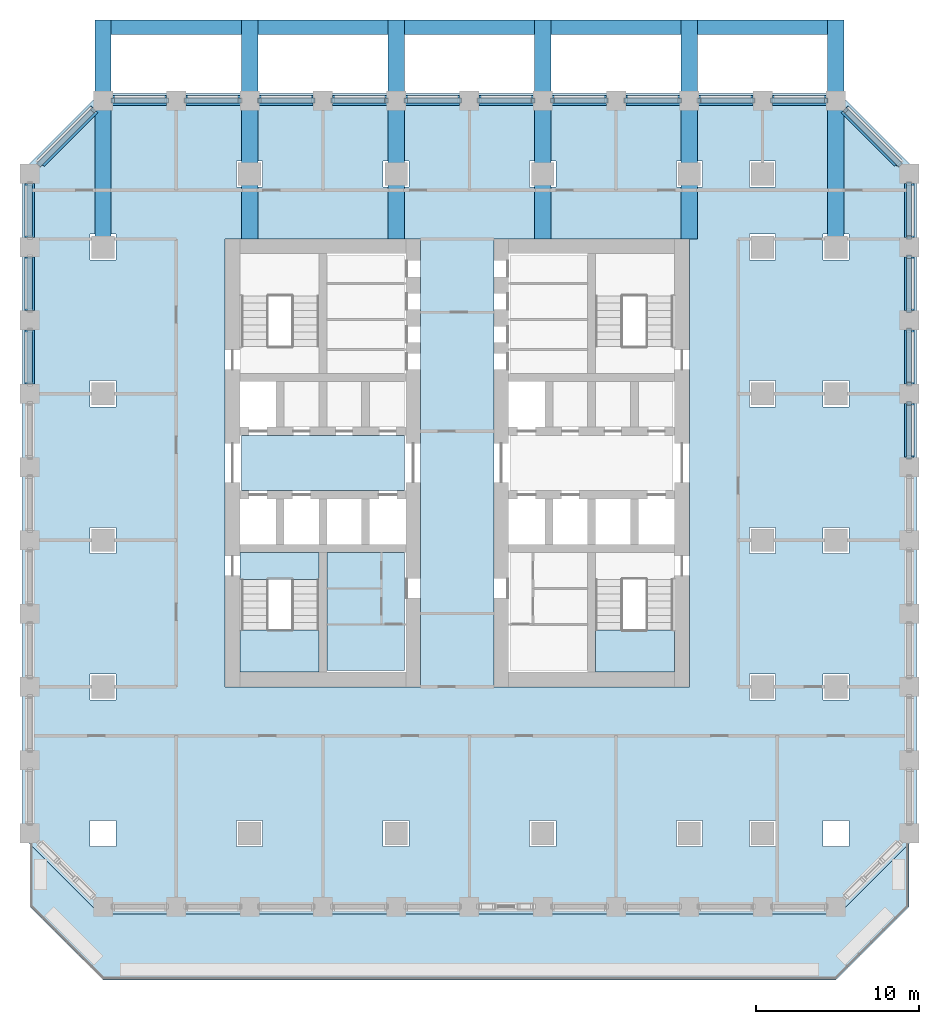
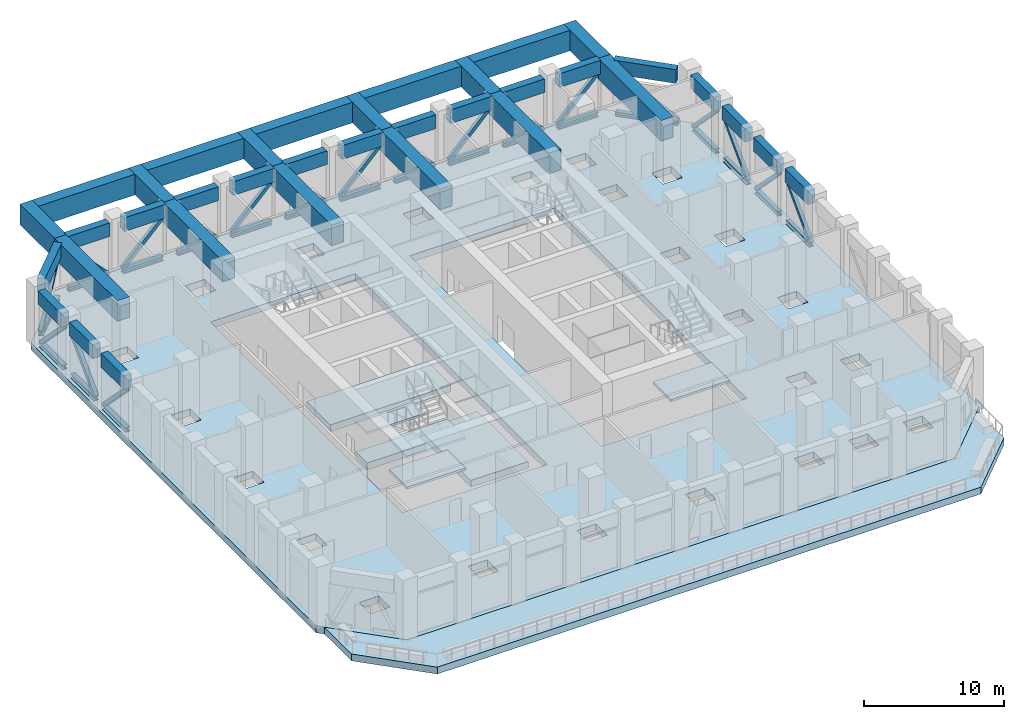
# One storey, part 2 of 20: 38 members, 36 beams, 9 slabs, 2 elements without a shape of their own.
"""IFC4 building model written with IfcOpenShell, lengths in metres."""

from ifc_helpers import new_model, si_unit, direction, frame, origin, origin_2d, place, context, subcontext, project, spatial, polyline, rectangle, hollow_rectangle, i_section, outline, extrude, material, layer, layer_set, material_profile, profile_set, type_object, element, aggregate, save


model = new_model("IFC4")

# Units and contexts
model_context = context("Model", 3, precision=1e-05, world=origin(), true_north=direction((0.0, 1.0)))
body_context = subcontext(model_context, "Body", "Model", "MODEL_VIEW")
ifc_project = project(units=[si_unit("LENGTHUNIT", "METRE"), si_unit("AREAUNIT", "SQUARE_METRE"), si_unit("VOLUMEUNIT", "CUBIC_METRE"), si_unit("PLANEANGLEUNIT", "RADIAN"), si_unit("MASSUNIT", "GRAM", prefix="KILO")], contexts=[model_context])

# Site, building, storey
site_placement = place(None, origin())
site = spatial("IfcSite", under=ifc_project, at=site_placement, CompositionType="ELEMENT")
building_placement = place(site_placement, origin())
building = spatial("IfcBuilding", under=site, at=building_placement, Name="Corbel Stack Research Tower", CompositionType="ELEMENT")
storey_placement = place(building_placement, frame((0.0, 0.0, 76.60009765625)))
storey = spatial("IfcBuildingStorey", under=building, at=storey_placement, Name="L17", CompositionType="ELEMENT", Elevation=76.60009765625)

# Members
ifc_material_1 = material(Name="Steel S355", Category="steel")
ifc_material_profile_1 = material_profile(ifc_material_1, i_section(OverallWidth=0.3740234375, OverallDepth=0.3720703125, WebThickness=0.01611328125, FlangeThickness=0.02587890625, at=origin_2d()), Name="W14x132")
ifc_profile_set_1 = profile_set([ifc_material_profile_1], Name="Steel S355")
member_type_1 = type_object("IfcMemberType", Name="BC-132", PredefinedType="CHORD", material=ifc_profile_set_1)
for number, where, z_axis, x_axis, name in (
    (1, (31.5, 5.10009765625, 0.185791015625), (0.0, 1.0, 0.0), (-1.0, 0.0, 0.0), "Belt truss chord L17-17"),
    (2, (31.5, 9.60009765625, 0.185791015625), (0.0, 1.0, 0.0), (-1.0, 0.0, 0.0), "Belt truss chord L17-18"),
    (3, (31.5, 14.10009765625, 0.185791015625), (0.0, 1.0, 0.0), (-1.0, 0.0, 0.0), "Belt truss chord L17-19"),
    (4, (31.5, 18.60009765625, 0.185791015625), (0.0, 1.0, 0.0), (-1.0, 0.0, 0.0), "Belt truss chord L17-20"),
):
    element("IfcMember", number, at=place(storey_placement, frame(where, z_axis=z_axis, x_axis=x_axis)), inside=storey, type_object=member_type_1, Name=name, PredefinedType="CHORD", context=body_context, shape_type="SweptSolid", body=[
        extrude(i_section(OverallWidth=0.3740234375, OverallDepth=0.3720703125, WebThickness=0.01611328125, FlangeThickness=0.02587890625, at=origin_2d()), origin(), (0.0, 0.0, 1.0), 3.2998046875),
    ])
member_1_placement = place(storey_placement, frame((30.89990234375, 23.10009765625, 0.185791015625), z_axis=(-0.707106781187, 0.707106781187, 0.0), x_axis=(-0.707106781187, -0.707106781187, 0.0)))
element("IfcMember", 5, at=member_1_placement, inside=storey, type_object=member_type_1, Name="Belt truss chord L17-21", PredefinedType="CHORD", context=body_context, shape_type="SweptSolid", body=[
    extrude(i_section(OverallWidth=0.3740234375, OverallDepth=0.3720703125, WebThickness=0.01611328125, FlangeThickness=0.02587890625, at=origin_2d()), origin(), (0.0, 0.0, 1.0), 4.666748046875),
])
for number, where, z_axis, x_axis, name in (
    (6, (26.39990234375, 27.0, 0.185791015625), (-1.0, 0.0, 0.0), (0.0, -1.0, 0.0), "Belt truss chord L17-22"),
    (7, (21.89990234375, 27.0, 0.185791015625), (-1.0, 0.0, 0.0), (0.0, -1.0, 0.0), "Belt truss chord L17-23"),
    (8, (17.39990234375, 27.0, 0.185791015625), (-1.0, 0.0, 0.0), (0.0, -1.0, 0.0), "Belt truss chord L17-24"),
    (9, (12.89990234375, 27.0, 0.185791015625), (-1.0, 0.0, 0.0), (0.0, -1.0, 0.0), "Belt truss chord L17-25"),
    (10, (8.39990234375, 27.0, 0.185791015625), (-1.0, 0.0, 0.0), (0.0, -1.0, 0.0), "Belt truss chord L17-26"),
    (11, (3.89990234375, 27.0, 0.185791015625), (-1.0, 0.0, 0.0), (0.0, -1.0, 0.0), "Belt truss chord L17-27"),
    (12, (-0.60009765625, 27.0, 0.185791015625), (-1.0, 0.0, 0.0), (0.0, -1.0, 0.0), "Belt truss chord L17-28"),
    (13, (-5.10009765625, 27.0, 0.185791015625), (-1.0, 0.0, 0.0), (0.0, -1.0, 0.0), "Belt truss chord L17-29"),
    (14, (-9.60009765625, 27.0, 0.185791015625), (-1.0, 0.0, 0.0), (0.0, -1.0, 0.0), "Belt truss chord L17-30"),
    (15, (-14.10009765625, 27.0, 0.185791015625), (-1.0, 0.0, 0.0), (0.0, -1.0, 0.0), "Belt truss chord L17-31"),
):
    element("IfcMember", number, at=place(storey_placement, frame(where, z_axis=z_axis, x_axis=x_axis)), inside=storey, type_object=member_type_1, Name=name, PredefinedType="CHORD", context=body_context, shape_type="SweptSolid", body=[
        extrude(i_section(OverallWidth=0.3740234375, OverallDepth=0.3720703125, WebThickness=0.01611328125, FlangeThickness=0.02587890625, at=origin_2d()), origin(), (0.0, 0.0, 1.0), 3.2998046875),
    ])
member_2_placement = place(storey_placement, frame((-18.60009765625, 26.39990234375, 0.185791015625), z_axis=(-0.707106781187, -0.707106781187, 0.0), x_axis=(0.707106781187, -0.707106781187, 0.0)))
element("IfcMember", 16, at=member_2_placement, inside=storey, type_object=member_type_1, Name="Belt truss chord L17-32", PredefinedType="CHORD", context=body_context, shape_type="SweptSolid", body=[
    extrude(i_section(OverallWidth=0.3740234375, OverallDepth=0.3720703125, WebThickness=0.01611328125, FlangeThickness=0.02587890625, at=origin_2d()), origin(), (0.0, 0.0, 1.0), 4.666748046875),
])
for number, where, z_axis, x_axis, name in (
    (17, (-22.5, 21.89990234375, 0.185791015625), (0.0, -1.0, 0.0), (1.0, 0.0, 0.0), "Belt truss chord L17-33"),
    (18, (-22.5, 17.39990234375, 0.185791015625), (0.0, -1.0, 0.0), (1.0, 0.0, 0.0), "Belt truss chord L17-34"),
    (19, (-22.5, 12.89990234375, 0.185791015625), (0.0, -1.0, 0.0), (1.0, 0.0, 0.0), "Belt truss chord L17-35"),
):
    element("IfcMember", number, at=place(storey_placement, frame(where, z_axis=z_axis, x_axis=x_axis)), inside=storey, type_object=member_type_1, Name=name, PredefinedType="CHORD", context=body_context, shape_type="SweptSolid", body=[
        extrude(i_section(OverallWidth=0.3740234375, OverallDepth=0.3720703125, WebThickness=0.01611328125, FlangeThickness=0.02587890625, at=origin_2d()), origin(), (0.0, 0.0, 1.0), 3.2998046875),
    ])
ifc_material_2 = material(Name="Steel S355", Category="steel")
ifc_material_profile_2 = material_profile(ifc_material_2, hollow_rectangle(XDim=0.304931640625, YDim=0.304931640625, WallThickness=0.014892578125, at=origin_2d()), Name="HSS12x12x5/8")
ifc_profile_set_2 = profile_set([ifc_material_profile_2], Name="Steel S355")
member_type_2 = type_object("IfcMemberType", Name="BD-12", PredefinedType="BRACE", material=ifc_profile_set_2)
for number, where, z_axis, x_axis, name in (
    (20, (31.5, 5.10009765625, 0.371826171875), (0.0, 0.698760443473, 0.715355745512), (-1.0, 0.0, 0.0), "Belt truss diagonal L17-17"),
    (21, (31.5, 12.89990234375, 0.371826171875), (0.0, -0.698760443473, 0.715355745512), (1.0, 0.0, 0.0), "Belt truss diagonal L17-18"),
    (22, (31.5, 14.10009765625, 0.371826171875), (0.0, 0.698760443473, 0.715355745512), (-1.0, 0.0, 0.0), "Belt truss diagonal L17-19"),
    (23, (31.5, 21.89990234375, 0.371826171875), (0.0, -0.698760443473, 0.715355745512), (1.0, 0.0, 0.0), "Belt truss diagonal L17-20"),
):
    element("IfcMember", number, at=place(storey_placement, frame(where, z_axis=z_axis, x_axis=x_axis)), inside=storey, type_object=member_type_2, Name=name, PredefinedType="BRACE", context=body_context, shape_type="SweptSolid", body=[
        extrude(hollow_rectangle(XDim=0.304931640625, YDim=0.304931640625, WallThickness=0.014892578125, at=origin_2d()), origin(), (0.0, 0.0, 1.0), 4.722412109375),
    ])
member_3_placement = place(storey_placement, frame((30.89990234375, 23.10009765625, 0.371826171875), z_axis=(-0.572780215739, 0.572780215739, 0.586383533973), x_axis=(-0.707106781187, -0.707106781187, 0.0)))
element("IfcMember", 24, at=member_3_placement, inside=storey, type_object=member_type_2, Name="Belt truss diagonal L17-21", PredefinedType="BRACE", context=body_context, shape_type="SweptSolid", body=[
    extrude(hollow_rectangle(XDim=0.304931640625, YDim=0.304931640625, WallThickness=0.014892578125, at=origin_2d()), origin(), (0.0, 0.0, 1.0), 5.760986328125),
])
for number, where, z_axis, x_axis, name in (
    (25, (23.10009765625, 27.0, 0.371826171875), (0.698760443473, 0.0, 0.715355745512), (0.0, 1.0, 0.0), "Belt truss diagonal L17-22"),
    (26, (21.89990234375, 27.0, 0.371826171875), (-0.698760443473, 0.0, 0.715355745512), (0.0, -1.0, 0.0), "Belt truss diagonal L17-23"),
    (27, (14.10009765625, 27.0, 0.371826171875), (0.698760443473, 0.0, 0.715355745512), (0.0, 1.0, 0.0), "Belt truss diagonal L17-24"),
    (28, (12.89990234375, 27.0, 0.371826171875), (-0.698760443473, 0.0, 0.715355745512), (0.0, -1.0, 0.0), "Belt truss diagonal L17-25"),
    (29, (5.10009765625, 27.0, 0.371826171875), (0.698760443473, 0.0, 0.715355745512), (0.0, 1.0, 0.0), "Belt truss diagonal L17-26"),
    (30, (3.89990234375, 27.0, 0.371826171875), (-0.698760443473, 0.0, 0.715355745512), (0.0, -1.0, 0.0), "Belt truss diagonal L17-27"),
    (31, (-3.89990234375, 27.0, 0.371826171875), (0.698760443473, 0.0, 0.715355745512), (0.0, 1.0, 0.0), "Belt truss diagonal L17-28"),
    (32, (-5.10009765625, 27.0, 0.371826171875), (-0.698760443473, 0.0, 0.715355745512), (0.0, -1.0, 0.0), "Belt truss diagonal L17-29"),
    (33, (-12.89990234375, 27.0, 0.371826171875), (0.698760443473, 0.0, 0.715355745512), (0.0, 1.0, 0.0), "Belt truss diagonal L17-30"),
    (34, (-14.10009765625, 27.0, 0.371826171875), (-0.698760443473, 0.0, 0.715355745512), (0.0, -1.0, 0.0), "Belt truss diagonal L17-31"),
):
    element("IfcMember", number, at=place(storey_placement, frame(where, z_axis=z_axis, x_axis=x_axis)), inside=storey, type_object=member_type_2, Name=name, PredefinedType="BRACE", context=body_context, shape_type="SweptSolid", body=[
        extrude(hollow_rectangle(XDim=0.304931640625, YDim=0.304931640625, WallThickness=0.014892578125, at=origin_2d()), origin(), (0.0, 0.0, 1.0), 4.722412109375),
    ])
member_4_placement = place(storey_placement, frame((-21.89990234375, 23.10009765625, 0.371826171875), z_axis=(0.572780215739, 0.572780215739, 0.586383533973), x_axis=(-0.707106781187, 0.707106781187, 0.0)))
element("IfcMember", 35, at=member_4_placement, inside=storey, type_object=member_type_2, Name="Belt truss diagonal L17-32", PredefinedType="BRACE", context=body_context, shape_type="SweptSolid", body=[
    extrude(hollow_rectangle(XDim=0.304931640625, YDim=0.304931640625, WallThickness=0.014892578125, at=origin_2d()), origin(), (0.0, 0.0, 1.0), 5.760986328125),
])
for number, where, z_axis, x_axis, name in (
    (36, (-22.5, 21.89990234375, 0.371826171875), (0.0, -0.698760443473, 0.715355745512), (1.0, 0.0, 0.0), "Belt truss diagonal L17-33"),
    (37, (-22.5, 14.10009765625, 0.371826171875), (0.0, 0.698760443473, 0.715355745512), (-1.0, 0.0, 0.0), "Belt truss diagonal L17-34"),
    (38, (-22.5, 12.89990234375, 0.371826171875), (0.0, -0.698760443473, 0.715355745512), (1.0, 0.0, 0.0), "Belt truss diagonal L17-35"),
):
    element("IfcMember", number, at=place(storey_placement, frame(where, z_axis=z_axis, x_axis=x_axis)), inside=storey, type_object=member_type_2, Name=name, PredefinedType="BRACE", context=body_context, shape_type="SweptSolid", body=[
        extrude(hollow_rectangle(XDim=0.304931640625, YDim=0.304931640625, WallThickness=0.014892578125, at=origin_2d()), origin(), (0.0, 0.0, 1.0), 4.722412109375),
    ])

# Beams
ifc_material_3 = material(Name="Concrete C60/75", Category="concrete")
ifc_material_profile_3 = material_profile(ifc_material_3, rectangle(XDim=0.60009765625, YDim=1.199951171875, at=origin_2d()), Name="RC 600 x 1200")
ifc_profile_set_3 = profile_set([ifc_material_profile_3], Name="Concrete C60/75")
beam_type_1 = type_object("IfcBeamType", Name="SB-600-1200-450", PredefinedType="SPANDREL", material=ifc_profile_set_3)
for number, where, z_axis, x_axis, name in (
    (39, (31.5, 5.10009765625, 4.349853515625), (0.0, 1.0, 0.0), (-1.0, 0.0, 0.0), "Spandrel beam L17-17"),
    (40, (31.5, 9.60009765625, 4.349853515625), (0.0, 1.0, 0.0), (-1.0, 0.0, 0.0), "Spandrel beam L17-18"),
    (41, (31.5, 14.10009765625, 4.349853515625), (0.0, 1.0, 0.0), (-1.0, 0.0, 0.0), "Spandrel beam L17-19"),
    (42, (31.5, 18.60009765625, 4.349853515625), (0.0, 1.0, 0.0), (-1.0, 0.0, 0.0), "Spandrel beam L17-20"),
):
    element("IfcBeam", number, at=place(storey_placement, frame(where, z_axis=z_axis, x_axis=x_axis)), inside=storey, type_object=beam_type_1, Name=name, PredefinedType="SPANDREL", context=body_context, shape_type="SweptSolid", body=[
        extrude(rectangle(XDim=0.60009765625, YDim=1.199951171875, at=origin_2d()), origin(), (0.0, 0.0, 1.0), 3.2998046875),
    ])
beam_1_placement = place(storey_placement, frame((30.822265625, 23.177734375, 4.349853515625), z_axis=(-0.707106781187, 0.707106781187, 0.0), x_axis=(-0.707106781187, -0.707106781187, 0.0)))
element("IfcBeam", 43, at=beam_1_placement, inside=storey, type_object=beam_type_1, Name="Spandrel beam L17-21", PredefinedType="SPANDREL", context=body_context, shape_type="SweptSolid", body=[
    extrude(rectangle(XDim=0.60009765625, YDim=1.199951171875, at=origin_2d()), origin(), (0.0, 0.0, 1.0), 4.658935546875),
])
for number, where, z_axis, x_axis, name in (
    (44, (26.550048828125, 27.0, 4.349853515625), (-1.0, 0.0, 0.0), (0.0, -1.0, 0.0), "Spandrel beam L17-22"),
    (45, (21.89990234375, 27.0, 4.349853515625), (-1.0, 0.0, 0.0), (0.0, -1.0, 0.0), "Spandrel beam L17-23"),
    (46, (17.550048828125, 27.0, 4.349853515625), (-1.0, 0.0, 0.0), (0.0, -1.0, 0.0), "Spandrel beam L17-24"),
    (47, (12.89990234375, 27.0, 4.349853515625), (-1.0, 0.0, 0.0), (0.0, -1.0, 0.0), "Spandrel beam L17-25"),
    (48, (8.550048828125, 27.0, 4.349853515625), (-1.0, 0.0, 0.0), (0.0, -1.0, 0.0), "Spandrel beam L17-26"),
    (49, (3.89990234375, 27.0, 4.349853515625), (-1.0, 0.0, 0.0), (0.0, -1.0, 0.0), "Spandrel beam L17-27"),
    (50, (-0.449951171875, 27.0, 4.349853515625), (-1.0, 0.0, 0.0), (0.0, -1.0, 0.0), "Spandrel beam L17-28"),
    (51, (-5.10009765625, 27.0, 4.349853515625), (-1.0, 0.0, 0.0), (0.0, -1.0, 0.0), "Spandrel beam L17-29"),
    (52, (-9.449951171875, 27.0, 4.349853515625), (-1.0, 0.0, 0.0), (0.0, -1.0, 0.0), "Spandrel beam L17-30"),
    (53, (-14.10009765625, 27.0, 4.349853515625), (-1.0, 0.0, 0.0), (0.0, -1.0, 0.0), "Spandrel beam L17-31"),
):
    element("IfcBeam", number, at=place(storey_placement, frame(where, z_axis=z_axis, x_axis=x_axis)), inside=storey, type_object=beam_type_1, Name=name, PredefinedType="SPANDREL", context=body_context, shape_type="SweptSolid", body=[
        extrude(rectangle(XDim=0.60009765625, YDim=1.199951171875, at=origin_2d()), origin(), (0.0, 0.0, 1.0), 3.449951171875),
    ])
beam_2_placement = place(storey_placement, frame((-18.52783203125, 26.47216796875, 4.349853515625), z_axis=(-0.707106781187, -0.707106781187, 0.0), x_axis=(0.707106781187, -0.707106781187, 0.0)))
element("IfcBeam", 54, at=beam_2_placement, inside=storey, type_object=beam_type_1, Name="Spandrel beam L17-32", PredefinedType="SPANDREL", context=body_context, shape_type="SweptSolid", body=[
    extrude(rectangle(XDim=0.60009765625, YDim=1.199951171875, at=origin_2d()), origin(), (0.0, 0.0, 1.0), 4.658935546875),
])
for number, where, z_axis, x_axis, name in (
    (55, (-22.5, 21.89990234375, 4.349853515625), (0.0, -1.0, 0.0), (1.0, 0.0, 0.0), "Spandrel beam L17-33"),
    (56, (-22.5, 17.39990234375, 4.349853515625), (0.0, -1.0, 0.0), (1.0, 0.0, 0.0), "Spandrel beam L17-34"),
    (57, (-22.5, 12.89990234375, 4.349853515625), (0.0, -1.0, 0.0), (1.0, 0.0, 0.0), "Spandrel beam L17-35"),
):
    element("IfcBeam", number, at=place(storey_placement, frame(where, z_axis=z_axis, x_axis=x_axis)), inside=storey, type_object=beam_type_1, Name=name, PredefinedType="SPANDREL", context=body_context, shape_type="SweptSolid", body=[
        extrude(rectangle(XDim=0.60009765625, YDim=1.199951171875, at=origin_2d()), origin(), (0.0, 0.0, 1.0), 3.2998046875),
    ])
ifc_material_4 = material(Name="Concrete C60/75", Category="concrete")
ifc_material_profile_4 = material_profile(ifc_material_4, rectangle(XDim=1.0, YDim=1.800048828125, at=origin_2d()), Name="RC 1000 x 1800")
ifc_profile_set_4 = profile_set([ifc_material_profile_4], Name="Concrete C60/75")
beam_type_2 = type_object("IfcBeamType", Name="TG-1000-1800", PredefinedType="BEAM", material=ifc_profile_set_4)
beam_3_placement = place(storey_placement, frame((-18.0, 31.949951171875, 4.0498046875), z_axis=(0.0, -1.0, 0.0), x_axis=(1.0, 0.0, 0.0)))
element("IfcBeam", 58, at=beam_3_placement, inside=storey, type_object=beam_type_2, Name="Transfer girder L17 N-18c", PredefinedType="BEAM", context=body_context, shape_type="SweptSolid", body=[
    extrude(rectangle(XDim=1.0, YDim=1.800048828125, at=origin_2d()), origin(), (0.0, 0.0, 1.0), 4.949951171875),
])
beam_4_placement = place(storey_placement, frame((-18.0, 27.0, 4.0498046875), z_axis=(0.0, -1.0, 0.0), x_axis=(1.0, 0.0, 0.0)))
element("IfcBeam", 59, at=beam_4_placement, inside=storey, type_object=beam_type_2, Name="Transfer girder L17 N-18b", PredefinedType="BEAM", context=body_context, shape_type="SweptSolid", body=[
    extrude(rectangle(XDim=1.0, YDim=1.800048828125, at=origin_2d()), origin(), (0.0, 0.0, 1.0), 9.0),
])
beam_5_placement = place(storey_placement, frame((-9.0, 31.949951171875, 4.0498046875), z_axis=(0.0, -1.0, 0.0), x_axis=(1.0, 0.0, 0.0)))
element("IfcBeam", 60, at=beam_5_placement, inside=storey, type_object=beam_type_2, Name="Transfer girder L17 N-9c", PredefinedType="BEAM", context=body_context, shape_type="SweptSolid", body=[
    extrude(rectangle(XDim=1.0, YDim=1.800048828125, at=origin_2d()), origin(), (0.0, 0.0, 1.0), 4.949951171875),
])
beam_6_placement = place(storey_placement, frame((-9.0, 27.0, 4.0498046875), z_axis=(0.0, -1.0, 0.0), x_axis=(1.0, 0.0, 0.0)))
element("IfcBeam", 61, at=beam_6_placement, inside=storey, type_object=beam_type_2, Name="Transfer girder L17 N-9b", PredefinedType="BEAM", context=body_context, shape_type="SweptSolid", body=[
    extrude(rectangle(XDim=1.0, YDim=1.800048828125, at=origin_2d()), origin(), (0.0, 0.0, 1.0), 8.5),
])
beam_7_placement = place(storey_placement, frame((0.0, 31.949951171875, 4.0498046875), z_axis=(0.0, -1.0, 0.0), x_axis=(1.0, 0.0, 0.0)))
element("IfcBeam", 62, at=beam_7_placement, inside=storey, type_object=beam_type_2, Name="Transfer girder L17 N0c", PredefinedType="BEAM", context=body_context, shape_type="SweptSolid", body=[
    extrude(rectangle(XDim=1.0, YDim=1.800048828125, at=origin_2d()), origin(), (0.0, 0.0, 1.0), 4.949951171875),
])
beam_8_placement = place(storey_placement, frame((0.0, 27.0, 4.0498046875), z_axis=(0.0, -1.0, 0.0), x_axis=(1.0, 0.0, 0.0)))
element("IfcBeam", 63, at=beam_8_placement, inside=storey, type_object=beam_type_2, Name="Transfer girder L17 N0b", PredefinedType="BEAM", context=body_context, shape_type="SweptSolid", body=[
    extrude(rectangle(XDim=1.0, YDim=1.800048828125, at=origin_2d()), origin(), (0.0, 0.0, 1.0), 8.5),
])
beam_9_placement = place(storey_placement, frame((9.0, 31.949951171875, 4.0498046875), z_axis=(0.0, -1.0, 0.0), x_axis=(1.0, 0.0, 0.0)))
element("IfcBeam", 64, at=beam_9_placement, inside=storey, type_object=beam_type_2, Name="Transfer girder L17 N9c", PredefinedType="BEAM", context=body_context, shape_type="SweptSolid", body=[
    extrude(rectangle(XDim=1.0, YDim=1.800048828125, at=origin_2d()), origin(), (0.0, 0.0, 1.0), 4.949951171875),
])
beam_10_placement = place(storey_placement, frame((9.0, 27.0, 4.0498046875), z_axis=(0.0, -1.0, 0.0), x_axis=(1.0, 0.0, 0.0)))
element("IfcBeam", 65, at=beam_10_placement, inside=storey, type_object=beam_type_2, Name="Transfer girder L17 N9b", PredefinedType="BEAM", context=body_context, shape_type="SweptSolid", body=[
    extrude(rectangle(XDim=1.0, YDim=1.800048828125, at=origin_2d()), origin(), (0.0, 0.0, 1.0), 8.5),
])
beam_11_placement = place(storey_placement, frame((18.0, 31.949951171875, 4.0498046875), z_axis=(0.0, -1.0, 0.0), x_axis=(1.0, 0.0, 0.0)))
element("IfcBeam", 66, at=beam_11_placement, inside=storey, type_object=beam_type_2, Name="Transfer girder L17 N18c", PredefinedType="BEAM", context=body_context, shape_type="SweptSolid", body=[
    extrude(rectangle(XDim=1.0, YDim=1.800048828125, at=origin_2d()), origin(), (0.0, 0.0, 1.0), 4.949951171875),
])
beam_12_placement = place(storey_placement, frame((18.0, 27.0, 4.0498046875), z_axis=(0.0, -1.0, 0.0), x_axis=(1.0, 0.0, 0.0)))
element("IfcBeam", 67, at=beam_12_placement, inside=storey, type_object=beam_type_2, Name="Transfer girder L17 N18b", PredefinedType="BEAM", context=body_context, shape_type="SweptSolid", body=[
    extrude(rectangle(XDim=1.0, YDim=1.800048828125, at=origin_2d()), origin(), (0.0, 0.0, 1.0), 8.5),
])
beam_13_placement = place(storey_placement, frame((27.0, 31.949951171875, 4.0498046875), z_axis=(0.0, -1.0, 0.0), x_axis=(1.0, 0.0, 0.0)))
element("IfcBeam", 68, at=beam_13_placement, inside=storey, type_object=beam_type_2, Name="Transfer girder L17 N27c", PredefinedType="BEAM", context=body_context, shape_type="SweptSolid", body=[
    extrude(rectangle(XDim=1.0, YDim=1.800048828125, at=origin_2d()), origin(), (0.0, 0.0, 1.0), 4.949951171875),
])
beam_14_placement = place(storey_placement, frame((27.0, 27.0, 4.0498046875), z_axis=(0.0, -1.0, 0.0), x_axis=(1.0, 0.0, 0.0)))
element("IfcBeam", 69, at=beam_14_placement, inside=storey, type_object=beam_type_2, Name="Transfer girder L17 N27b", PredefinedType="BEAM", context=body_context, shape_type="SweptSolid", body=[
    extrude(rectangle(XDim=1.0, YDim=1.800048828125, at=origin_2d()), origin(), (0.0, 0.0, 1.0), 9.0),
])
ifc_material_5 = material(Name="Concrete C60/75", Category="concrete")
ifc_material_profile_5 = material_profile(ifc_material_5, rectangle(XDim=0.89990234375, YDim=1.800048828125, at=origin_2d()), Name="RC 900 x 1800")
ifc_profile_set_5 = profile_set([ifc_material_profile_5], Name="Concrete C60/75")
beam_type_3 = type_object("IfcBeamType", Name="TG-900-1800", PredefinedType="BEAM", material=ifc_profile_set_5)
for number, where, z_axis, x_axis, name in (
    (70, (-17.550048828125, 31.5, 4.0498046875), (1.0, 0.0, 0.0), (0.0, 1.0, 0.0), "Transfer edge beam L17 Ne-18"),
    (71, (-8.550048828125, 31.5, 4.0498046875), (1.0, 0.0, 0.0), (0.0, 1.0, 0.0), "Transfer edge beam L17 Ne-9"),
    (72, (0.449951171875, 31.5, 4.0498046875), (1.0, 0.0, 0.0), (0.0, 1.0, 0.0), "Transfer edge beam L17 Ne0"),
    (73, (9.449951171875, 31.5, 4.0498046875), (1.0, 0.0, 0.0), (0.0, 1.0, 0.0), "Transfer edge beam L17 Ne9"),
    (74, (18.449951171875, 31.5, 4.0498046875), (1.0, 0.0, 0.0), (0.0, 1.0, 0.0), "Transfer edge beam L17 Ne18"),
):
    element("IfcBeam", number, at=place(storey_placement, frame(where, z_axis=z_axis, x_axis=x_axis)), inside=storey, type_object=beam_type_3, Name=name, PredefinedType="BEAM", context=body_context, shape_type="SweptSolid", body=[
        extrude(rectangle(XDim=0.89990234375, YDim=1.800048828125, at=origin_2d()), origin(), (0.0, 0.0, 1.0), 8.10009765625),
    ])

# Slabs
ifc_material_6 = material(Name="Concrete C45/55", Category="concrete")
ifc_layer_1 = layer(ifc_material_6, 0.60009765625)
ifc_layer_set_1 = layer_set([ifc_layer_1], Name="Concrete C45/55")
slab_type_1 = type_object("IfcSlabType", Name="PT-600", PredefinedType="FLOOR", material=ifc_layer_set_1)
slab_1_placement = place(storey_placement, frame((0.0, 0.0, -0.60009765625)))
element("IfcSlab", 75, at=slab_1_placement, inside=storey, type_object=slab_type_1, Name="Floor slab L17", PredefinedType="FLOOR", context=body_context, shape_type="SweptSolid", body=[
    extrude(outline(polyline([(-18.186279296875, -22.949951171875), (27.186279296875, -22.949951171875), (31.949951171875, -18.186279296875), (31.949951171875, 22.686279296875), (27.186279296875, 27.449951171875), (-18.186279296875, 27.449951171875), (-22.949951171875, 22.686279296875), (-22.949951171875, -18.186279296875), (-18.186279296875, -22.949951171875)]), holes=[polyline([(26.199951171875, 17.199951171875), (26.199951171875, 18.800048828125), (27.800048828125, 18.800048828125), (27.800048828125, 17.199951171875), (26.199951171875, 17.199951171875)]), polyline([(26.199951171875, 8.199951171875), (26.199951171875, 9.800048828125), (27.800048828125, 9.800048828125), (27.800048828125, 8.199951171875), (26.199951171875, 8.199951171875)]), polyline([(27.800048828125, -0.800048828125), (26.199951171875, -0.800048828125), (26.199951171875, 0.800048828125), (27.800048828125, 0.800048828125), (27.800048828125, -0.800048828125)]), polyline([(26.199951171875, -9.800048828125), (26.199951171875, -8.199951171875), (27.800048828125, -8.199951171875), (27.800048828125, -9.800048828125), (26.199951171875, -9.800048828125)]), polyline([(26.199951171875, -18.800048828125), (26.199951171875, -17.199951171875), (27.800048828125, -17.199951171875), (27.800048828125, -18.800048828125), (26.199951171875, -18.800048828125)]), polyline([(21.699951171875, 21.699951171875), (21.699951171875, 23.300048828125), (23.300048828125, 23.300048828125), (23.300048828125, 21.699951171875), (21.699951171875, 21.699951171875)]), polyline([(21.699951171875, 17.199951171875), (21.699951171875, 18.800048828125), (23.300048828125, 18.800048828125), (23.300048828125, 17.199951171875), (21.699951171875, 17.199951171875)]), polyline([(21.699951171875, 8.199951171875), (21.699951171875, 9.800048828125), (23.300048828125, 9.800048828125), (23.300048828125, 8.199951171875), (21.699951171875, 8.199951171875)]), polyline([(21.699951171875, -0.800048828125), (21.699951171875, 0.800048828125), (23.300048828125, 0.800048828125), (23.300048828125, -0.800048828125), (21.699951171875, -0.800048828125)]), polyline([(23.300048828125, -9.800048828125), (21.699951171875, -9.800048828125), (21.699951171875, -8.199951171875), (23.300048828125, -8.199951171875), (23.300048828125, -9.800048828125)]), polyline([(21.699951171875, -18.800048828125), (21.699951171875, -17.199951171875), (23.300048828125, -17.199951171875), (23.300048828125, -18.800048828125), (21.699951171875, -18.800048828125)]), polyline([(17.199951171875, 21.699951171875), (17.199951171875, 23.300048828125), (18.800048828125, 23.300048828125), (18.800048828125, 21.699951171875), (17.199951171875, 21.699951171875)]), polyline([(18.800048828125, -18.800048828125), (17.199951171875, -18.800048828125), (17.199951171875, -17.199951171875), (18.800048828125, -17.199951171875), (18.800048828125, -18.800048828125)]), polyline([(6.0, -9.0), (6.0, 18.5), (18.0, 18.5), (18.0, -9.0), (6.0, -9.0)]), polyline([(8.199951171875, 21.699951171875), (8.199951171875, 23.300048828125), (9.800048828125, 23.300048828125), (9.800048828125, 21.699951171875), (8.199951171875, 21.699951171875)]), polyline([(9.800048828125, -18.800048828125), (8.199951171875, -18.800048828125), (8.199951171875, -17.199951171875), (9.800048828125, -17.199951171875), (9.800048828125, -18.800048828125)]), polyline([(1.5, -9.0), (-10.5, -9.0), (-10.5, 18.5), (1.5, 18.5), (1.5, -9.0)]), polyline([(-0.800048828125, 21.699951171875), (-0.800048828125, 23.300048828125), (0.800048828125, 23.300048828125), (0.800048828125, 21.699951171875), (-0.800048828125, 21.699951171875)]), polyline([(-0.800048828125, -18.800048828125), (-0.800048828125, -17.199951171875), (0.800048828125, -17.199951171875), (0.800048828125, -18.800048828125), (-0.800048828125, -18.800048828125)]), polyline([(-9.800048828125, 21.699951171875), (-9.800048828125, 23.300048828125), (-8.199951171875, 23.300048828125), (-8.199951171875, 21.699951171875), (-9.800048828125, 21.699951171875)]), polyline([(-9.800048828125, -18.800048828125), (-9.800048828125, -17.199951171875), (-8.199951171875, -17.199951171875), (-8.199951171875, -18.800048828125), (-9.800048828125, -18.800048828125)]), polyline([(-18.800048828125, 17.199951171875), (-18.800048828125, 18.800048828125), (-17.199951171875, 18.800048828125), (-17.199951171875, 17.199951171875), (-18.800048828125, 17.199951171875)]), polyline([(-18.800048828125, 8.199951171875), (-18.800048828125, 9.800048828125), (-17.199951171875, 9.800048828125), (-17.199951171875, 8.199951171875), (-18.800048828125, 8.199951171875)]), polyline([(-18.800048828125, -0.800048828125), (-18.800048828125, 0.800048828125), (-17.199951171875, 0.800048828125), (-17.199951171875, -0.800048828125), (-18.800048828125, -0.800048828125)]), polyline([(-18.800048828125, -9.800048828125), (-18.800048828125, -8.199951171875), (-17.199951171875, -8.199951171875), (-17.199951171875, -9.800048828125), (-18.800048828125, -9.800048828125)]), polyline([(-17.199951171875, -18.800048828125), (-18.800048828125, -18.800048828125), (-18.800048828125, -17.199951171875), (-17.199951171875, -17.199951171875), (-17.199951171875, -18.800048828125)])]), origin(), (0.0, 0.0, 1.0), 0.60009765625),
])
slab_2_placement = place(storey_placement, frame((0.0, 0.0, -0.60009765625)))
element("IfcSlab", 76, at=slab_2_placement, inside=storey, type_object=slab_type_1, Name="West core floor L17", PredefinedType="FLOOR", context=body_context, shape_type="SweptSolid", body=[
    extrude(outline(polyline([(-9.5, 6.449951171875), (-9.5, 3.050048828125), (0.5, 3.050048828125), (0.5, 6.449951171875), (-9.5, 6.449951171875)])), origin(), (0.0, 0.0, 1.0), 0.60009765625),
])
slab_3_placement = place(storey_placement, frame((0.0, 0.0, -0.60009765625)))
element("IfcSlab", 77, at=slab_3_placement, inside=storey, type_object=slab_type_1, Name="West core floor L17", PredefinedType="FLOOR", context=body_context, shape_type="SweptSolid", body=[
    extrude(outline(polyline([(-4.25, -0.75), (-4.25, -8.0), (0.5, -8.0), (0.5, -0.75), (-4.25, -0.75)])), origin(), (0.0, 0.0, 1.0), 0.60009765625),
])
slab_4_placement = place(storey_placement, frame((0.0, 0.0, -0.60009765625)))
element("IfcSlab", 78, at=slab_4_placement, inside=storey, type_object=slab_type_1, Name="Stair floor landing ST-W1", PredefinedType="FLOOR", context=body_context, shape_type="SweptSolid", body=[
    extrude(outline(polyline([(-9.60009765625, -2.39990234375), (-4.75, -2.39990234375), (-4.75, -0.75), (-9.60009765625, -0.75), (-9.60009765625, -2.39990234375)])), origin(), (0.0, 0.0, 1.0), 0.60009765625),
])

# Stair, slabs
ifc_material_7 = material(Name="Concrete C40/50", Category="concrete")
stair_type = type_object("IfcStairType", Name="Exit stair 32 risers, 443 going", PredefinedType="HALF_TURN_STAIR", material=ifc_material_7)
stair_1_placement = place(storey_placement, origin())
stair_1 = element("IfcStair", 79, at=stair_1_placement, inside=storey, type_object=stair_type, Name="L17 Exit stair ST-W1", PredefinedType="HALF_TURN_STAIR")
ifc_material_8 = material(Name="Concrete C40/50", Category="concrete")
ifc_layer_2 = layer(ifc_material_8, 0.199951171875)
ifc_layer_set_2 = layer_set([ifc_layer_2], Name="Concrete C40/50")
slab_type_2 = type_object("IfcSlabType", Name="Stair landing 200 C40/50", PredefinedType="LANDING", material=ifc_layer_set_2)
slab_5_placement = place(storey_placement, frame((0.0, 0.0, 1.14990234375)))
slab_5 = element("IfcSlab", 80, at=slab_5_placement, type_object=slab_type_2, Name="ST-W1 landing 1", PredefinedType="LANDING", context=body_context, shape_type="SweptSolid", body=[
    extrude(outline(polyline([(-9.60009765625, -8.10009765625), (-9.60009765625, -5.5009765625), (-4.75, -5.5009765625), (-4.75, -8.10009765625), (-9.60009765625, -8.10009765625)])), origin(), (0.0, 0.0, 1.0), 0.199951171875),
])
slab_6_placement = place(storey_placement, frame((0.0, 0.0, 2.5)))
slab_6 = element("IfcSlab", 81, at=slab_6_placement, type_object=slab_type_2, Name="ST-W1 landing 2", PredefinedType="LANDING", context=body_context, shape_type="SweptSolid", body=[
    extrude(outline(polyline([(-9.60009765625, -2.39990234375), (-9.60009765625, -0.75), (-4.75, -0.75), (-4.75, -2.39990234375), (-9.60009765625, -2.39990234375)])), origin(), (0.0, 0.0, 1.0), 0.199951171875),
])
slab_7_placement = place(storey_placement, frame((0.0, 0.0, 3.849853515625)))
slab_7 = element("IfcSlab", 82, at=slab_7_placement, type_object=slab_type_2, Name="ST-W1 landing 3", PredefinedType="LANDING", context=body_context, shape_type="SweptSolid", body=[
    extrude(outline(polyline([(-9.60009765625, -8.10009765625), (-9.60009765625, -5.5009765625), (-4.75, -5.5009765625), (-4.75, -8.10009765625), (-9.60009765625, -8.10009765625)])), origin(), (0.0, 0.0, 1.0), 0.199951171875),
])
aggregate(stair_1, [slab_5, slab_6, slab_7])

# Stair, slab
stair_2_placement = place(storey_placement, origin())
stair_2 = element("IfcStair", 83, at=stair_2_placement, inside=storey, type_object=stair_type, Name="L17 Exit stair ST-E1", PredefinedType="HALF_TURN_STAIR")
slab_8_placement = place(storey_placement, frame((0.0, 0.0, 1.14990234375)))
slab_8 = element("IfcSlab", 84, at=slab_8_placement, type_object=slab_type_2, Name="ST-E1 landing 1", PredefinedType="LANDING", context=body_context, shape_type="SweptSolid", body=[
    extrude(outline(polyline([(12.25, -8.10009765625), (12.25, -5.5009765625), (17.10009765625, -5.5009765625), (17.10009765625, -8.10009765625), (12.25, -8.10009765625)])), origin(), (0.0, 0.0, 1.0), 0.199951171875),
])
aggregate(stair_2, [slab_8])

# Slab
ifc_material_9 = material(Name="Concrete C45/55", Category="concrete")
ifc_layer_3 = layer(ifc_material_9, 0.60009765625)
ifc_layer_set_3 = layer_set([ifc_layer_3], Name="Concrete C45/55")
slab_type_3 = type_object("IfcSlabType", Name="TS-600", PredefinedType="ROOF", material=ifc_layer_set_3)
slab_9_placement = place(storey_placement, frame((0.0, 0.0, -0.60009765625)))
element("IfcSlab", 85, at=slab_9_placement, inside=storey, type_object=slab_type_3, Name="Terrace slab L17", PredefinedType="ROOF", context=body_context, shape_type="SweptSolid", body=[
    extrude(outline(polyline([(31.5, -18.636474609375), (27.186279296875, -22.949951171875), (-18.186279296875, -22.949951171875), (-22.5, -18.636474609375), (-22.5, -22.5), (-18.0, -27.0), (27.0, -27.0), (31.5, -22.5), (31.5, -18.636474609375)])), origin(), (0.0, 0.0, 1.0), 0.60009765625),
])

save(model, "model.ifc")
